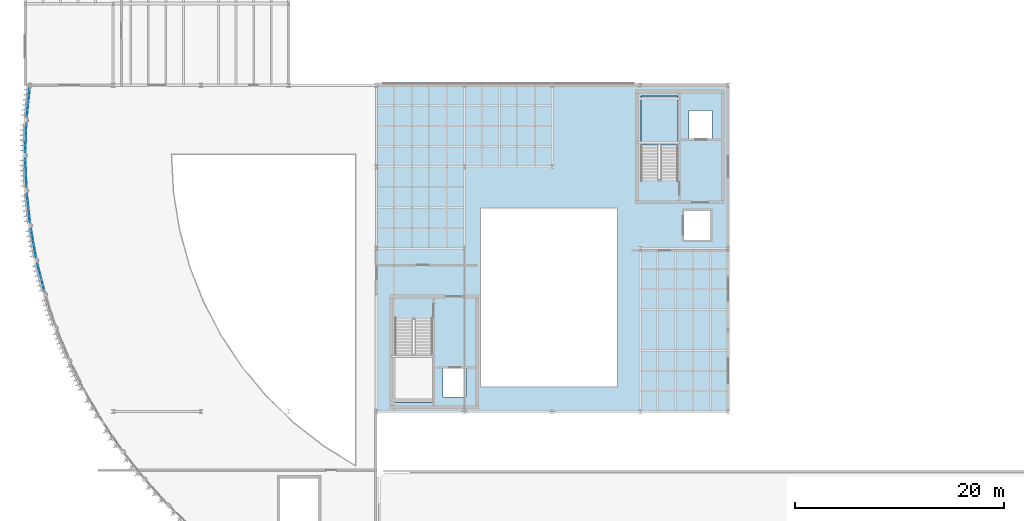
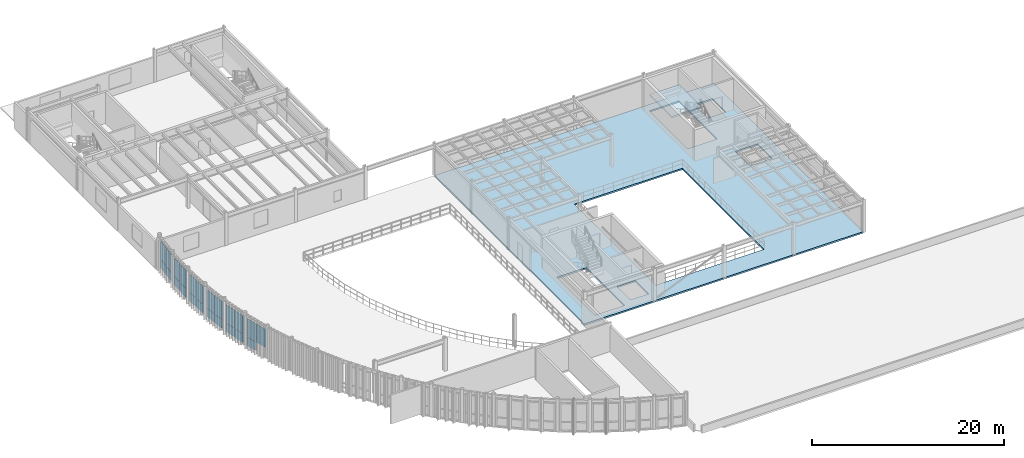
# One storey, part 30 of 54: 23 plates, 2 slabs, 7 elements without a shape of their own.
"""IFC4 building model written with IfcOpenShell, lengths in metres."""

import ifcopenshell
import ifcopenshell.guid

model = None  # the IFC model being written
_history = None  # IfcOwnerHistory: only IFC2X3 demands one
_inside = {}  # id of a spatial element -> (the spatial element, [elements in it])
_under = {}  # id of a project, library or spatial element -> (it, [spatial elements below it])
_declared = {}  # id of a project -> (the project, [libraries it declares])
_typed = {}  # id of a type object -> (the type object, [elements of that type])
_made_of = {}  # id of a material, layer set ... -> (it, [elements and type objects made of it])


def new_model(schema):
    """Start an empty IFC model of exactly this schema.

    Asked for "IFC4X3", IfcOpenShell would pick the latest addendum, in which some entities
    have other attributes; the version numbers below select the first issue.
    IFC2X3 requires an IfcOwnerHistory on every rooted entity: one is made here for all.
    """
    global model, _history
    if schema == "IFC4X3":
        model = ifcopenshell.file(schema_version=(4, 3, 0, 0))
    else:
        model = ifcopenshell.file(schema=schema)
    _inside.clear()
    _under.clear()
    _declared.clear()
    _typed.clear()
    _made_of.clear()
    _history = None
    if model.schema == "IFC2X3":
        org = make("IfcOrganization", Name="unknown")
        user = make(
            "IfcPersonAndOrganization",
            ThePerson=make("IfcPerson", FamilyName="unknown"),
            TheOrganization=org,
        )
        app = make(
            "IfcApplication",
            ApplicationDeveloper=org,
            Version="unknown",
            ApplicationFullName="unknown",
            ApplicationIdentifier="unknown",
        )
        _history = make(
            "IfcOwnerHistory",
            OwningUser=user,
            OwningApplication=app,
            ChangeAction="ADDED",
            CreationDate=0,
        )
    return model


def make(cls, **values):
    """One entity of the class cls with the attributes given. An attribute that is None is left unset."""
    return model.create_entity(
        cls, **{name: value for name, value in values.items() if value is not None}
    )


def rooted(cls, **values):
    """An entity with a GlobalId (a new one), such as an element, a storey or a relation."""
    return make(cls, GlobalId=ifcopenshell.guid.new(), OwnerHistory=_history, **values)


def si_unit(unit_type, name, prefix=None):
    """IfcSIUnit, for example si_unit("LENGTHUNIT", "METRE", prefix="MILLI")."""
    return make("IfcSIUnit", UnitType=unit_type, Prefix=prefix, Name=name)


def assignment(units):
    """IfcUnitAssignment: the units of a project."""
    return None if units is None else make("IfcUnitAssignment", Units=units)


def point(xyz):
    """IfcCartesianPoint."""
    return None if xyz is None else make("IfcCartesianPoint", Coordinates=xyz)


def direction(xyz):
    """IfcDirection."""
    return None if xyz is None else make("IfcDirection", DirectionRatios=xyz)


def frame(location, z_axis=None, x_axis=None):
    """IfcAxis2Placement3D, a coordinate frame: its origin and axes. An axis left out is left unset."""
    return make(
        "IfcAxis2Placement3D",
        Location=point(location),
        Axis=direction(z_axis),
        RefDirection=direction(x_axis),
    )


def frame_2d(location, x_axis=None):
    """IfcAxis2Placement2D, a coordinate frame in the plane: its origin and x axis."""
    return make(
        "IfcAxis2Placement2D", Location=point(location), RefDirection=direction(x_axis)
    )


def origin():
    """The frame at (0, 0, 0) with its axes left unset."""
    return frame((0.0, 0.0, 0.0))


def origin_2d():
    """The frame at (0, 0) in the plane with its x axis left unset."""
    return frame_2d((0.0, 0.0))


def place(relative_to, where):
    """IfcLocalPlacement: puts the frame where relative to a parent placement (None: the world)."""
    return make(
        "IfcLocalPlacement", PlacementRelTo=relative_to, RelativePlacement=where
    )


def context(
    kind, dimensions, precision=None, world=None, true_north=None, identifier=None
):
    """IfcGeometricRepresentationContext, for example the 3D "Model" context."""
    return make(
        "IfcGeometricRepresentationContext",
        ContextIdentifier=identifier,
        ContextType=kind,
        CoordinateSpaceDimension=dimensions,
        Precision=precision,
        WorldCoordinateSystem=world,
        TrueNorth=true_north,
    )


def subcontext(parent, identifier, kind, view, scale=None):
    """IfcGeometricRepresentationSubContext, for example "Body" below "Model"."""
    return make(
        "IfcGeometricRepresentationSubContext",
        ContextIdentifier=identifier,
        ContextType=kind,
        ParentContext=parent,
        TargetScale=scale,
        TargetView=view,
    )


def project(units=None, contexts=None):
    """IfcProject with its units and contexts."""
    return rooted(
        "IfcProject",
        Name="project",
        RepresentationContexts=contexts,
        UnitsInContext=assignment(units),
    )


def spatial(cls, under=None, at=None, **own):
    """A site, building, storey or space (cls), placed at a placement, below another one or the project."""
    s = rooted(cls, ObjectPlacement=at, **own)
    if under is not None:
        _under.setdefault(under.id(), (under, []))[1].append(s)
    return s


def polyline(points):
    """IfcPolyline through the points."""
    return make("IfcPolyline", Points=[point(p) for p in points])


def profile(cls, at=None, kind="AREA", **sizes):
    """A parametric profile (cls). Its sizes go by their IFC names, for example OverallWidth=200.0."""
    return make(cls, ProfileType=kind, Position=at, **sizes)


def rectangle(**sizes):
    """IfcRectangleProfileDef."""
    return profile("IfcRectangleProfileDef", **sizes)


def outline(outer, holes=None, kind="AREA"):
    """IfcArbitraryClosedProfileDef: a profile drawn as a closed curve; with holes, ...WithVoids."""
    if holes is None:
        return make("IfcArbitraryClosedProfileDef", ProfileType=kind, OuterCurve=outer)
    return make(
        "IfcArbitraryProfileDefWithVoids",
        ProfileType=kind,
        OuterCurve=outer,
        InnerCurves=holes,
    )


def extrude(swept, where, along, depth):
    """IfcExtrudedAreaSolid: the profile swept, set in the frame where, extruded along a direction by depth."""
    return make(
        "IfcExtrudedAreaSolid",
        SweptArea=swept,
        Position=where,
        ExtrudedDirection=direction(along),
        Depth=depth,
    )


def shape(context_of_items, identifier, shape_type, items):
    """IfcShapeRepresentation: the items that make up one representation, for example the "Body"."""
    return make(
        "IfcShapeRepresentation",
        ContextOfItems=context_of_items,
        RepresentationIdentifier=identifier,
        RepresentationType=shape_type,
        Items=items,
    )


def material(Name=None, Category=None):
    """IfcMaterial."""
    return make("IfcMaterial", Name=Name, Category=Category)


def layer(
    of_material, thickness, ventilated=None, Name=None, Category=None, Priority=None
):
    """IfcMaterialLayer: one layer of a wall or slab, of a material (None: an air gap)."""
    return make(
        "IfcMaterialLayer",
        Material=of_material,
        LayerThickness=thickness,
        IsVentilated=ventilated,
        Name=Name,
        Category=Category,
        Priority=Priority,
    )


def layer_set(layers, Name=None):
    """IfcMaterialLayerSet."""
    return make("IfcMaterialLayerSet", MaterialLayers=layers, LayerSetName=Name)


def made_of(thing, what):
    """Note that an element or type object is made of a material, layer set ...; save() writes the relation."""
    if what is not None:
        _made_of.setdefault(what.id(), (what, []))[1].append(thing)
    return thing


def type_object(cls, material=None, **own):
    """A type object (cls), such as IfcWallType, which elements share."""
    return made_of(rooted(cls, **own), material)


def element(
    cls,
    number,
    at=None,
    inside=None,
    cuts=None,
    type_object=None,
    material=None,
    context=None,
    identifier="Body",
    shape_type=None,
    held_by="IfcProductDefinitionShape",
    body=None,
    shapes=None,
    **own,
):
    """One element of the class cls, such as IfcWall. Its Tag is "e" and its number.

    at: its placement. inside: the storey or other place that contains it. cuts: it is an
    opening in that element (IfcRelVoidsElement). A single representation is given by context,
    identifier, shape_type and body (its items); several are given by shapes. held_by: the class
    of the entity that holds the representations. save() writes the other relations.
    """
    e = rooted(cls, Tag="e%d" % number, ObjectPlacement=at, **own)
    if body is not None:
        shapes = [shape(context, identifier, shape_type, body)]
    if shapes is not None:
        e.Representation = make(held_by, Representations=shapes)
    if inside is not None:
        _inside.setdefault(inside.id(), (inside, []))[1].append(e)
    if cuts is not None:
        rooted(
            "IfcRelVoidsElement", RelatingBuildingElement=cuts, RelatedOpeningElement=e
        )
    if type_object is not None:
        _typed.setdefault(type_object.id(), (type_object, []))[1].append(e)
    return made_of(e, material)


def aggregate(whole, parts):
    """IfcRelAggregates: a whole, such as a stair, and the parts it consists of."""
    return rooted("IfcRelAggregates", RelatingObject=whole, RelatedObjects=parts)


def save(model, path):
    """Write the relations noted so far, then the file.

    IfcRelAggregates (storeys below a building ...), IfcRelContainedInSpatialStructure (elements
    in a storey), IfcRelDefinesByType, IfcRelAssociatesMaterial and IfcRelDeclares: one each for
    every whole, place, type object, material and project.
    """
    for whole, parts in _under.values():
        aggregate(whole, parts)
    for where, things in _inside.values():
        rooted(
            "IfcRelContainedInSpatialStructure",
            RelatedElements=things,
            RelatingStructure=where,
        )
    for kind, things in _typed.values():
        rooted("IfcRelDefinesByType", RelatedObjects=things, RelatingType=kind)
    for what, things in _made_of.values():
        rooted("IfcRelAssociatesMaterial", RelatedObjects=things, RelatingMaterial=what)
    for by, libraries in _declared.values():
        rooted("IfcRelDeclares", RelatingContext=by, RelatedDefinitions=libraries)
    model.write(path)


model = new_model("IFC4")

# Units and contexts
model_context = context("Model", 3, precision=1e-05, world=origin(), true_north=direction((0.0, 1.0)))
body_context = subcontext(model_context, "Body", "Model", "MODEL_VIEW")
ifc_project = project(units=[si_unit("LENGTHUNIT", "METRE"), si_unit("AREAUNIT", "SQUARE_METRE"), si_unit("VOLUMEUNIT", "CUBIC_METRE"), si_unit("PLANEANGLEUNIT", "RADIAN"), si_unit("MASSUNIT", "GRAM", prefix="KILO")], contexts=[model_context])

# Site, building, storey
site_placement = place(None, origin())
site = spatial("IfcSite", under=ifc_project, at=site_placement, CompositionType="ELEMENT")
building_placement = place(site_placement, origin())
building = spatial("IfcBuilding", under=site, at=building_placement, Name="Selat Folded Stagehouse", CompositionType="ELEMENT")
storey_placement = place(building_placement, frame((0.0, 0.0, 15.0)))
storey = spatial("IfcBuildingStorey", under=building, at=storey_placement, Name="L03", CompositionType="ELEMENT", Elevation=15.0)

# Curtain wall, plates
ifc_material_1 = material(Name="Aluminium 6063-T6", Category="aluminium")
ifc_layer_1 = layer(ifc_material_1, 0.18505859375)
ifc_layer_set_1 = layer_set([ifc_layer_1], Name="Aluminium 6063-T6")
curtain_wall_type = type_object("IfcCurtainWallType", Name="CW-DRM-UPPER", PredefinedType="NOTDEFINED", material=ifc_layer_set_1)
curtain_wall_1_placement = place(storey_placement, origin())
curtain_wall_1 = element("IfcCurtainWall", 1, at=curtain_wall_1_placement, inside=storey, type_object=curtain_wall_type, Name="L03 curtain wall CW-DRM-L03-00", PredefinedType="NOTDEFINED")
ifc_material_2 = material(Name="High-mass acoustic stagehouse glazing", Category="glass")
ifc_layer_2 = layer(ifc_material_2, 0.0439453125)
ifc_layer_set_2 = layer_set([ifc_layer_2], Name="High-mass acoustic stagehouse glazing")
plate_type = type_object("IfcPlateType", Name="CWP-GLZ-DGU44", PredefinedType="CURTAIN_PANEL", material=ifc_layer_set_2)
plate_1_placement = place(storey_placement, frame((0.211181640625, 52.22705078125, 0.06494140625), z_axis=(0.0, 0.0, 1.0), x_axis=(0.102616116059, 0.994721032614, 0.0)))
plate_1 = element("IfcPlate", 2, at=plate_1_placement, type_object=plate_type, Name="CW-03 panel 1.1", PredefinedType="CURTAIN_PANEL", context=body_context, shape_type="SweptSolid", body=[
    extrude(rectangle(XDim=1.3369140625, YDim=0.0439453125, at=origin_2d()), origin(), (0.0, 0.0, 1.0), 1.052490234375),
])
plate_2_placement = place(storey_placement, frame((0.211181640625, 52.22705078125, 1.1826171875), z_axis=(0.0, 0.0, 1.0), x_axis=(0.102616116059, 0.994721032614, 0.0)))
plate_2 = element("IfcPlate", 3, at=plate_2_placement, type_object=plate_type, Name="CW-03 panel 1.2", PredefinedType="CURTAIN_PANEL", context=body_context, shape_type="SweptSolid", body=[
    extrude(rectangle(XDim=1.3369140625, YDim=0.0439453125, at=origin_2d()), origin(), (0.0, 0.0, 1.0), 2.3125),
])
plate_3_placement = place(storey_placement, frame((0.35498046875, 53.62158203125, 0.06494140625), z_axis=(0.0, 0.0, 1.0), x_axis=(0.102616116059, 0.994721032614, 0.0)))
plate_3 = element("IfcPlate", 4, at=plate_3_placement, type_object=plate_type, Name="CW-03 panel 2.1", PredefinedType="CURTAIN_PANEL", context=body_context, shape_type="SweptSolid", body=[
    extrude(rectangle(XDim=1.3369140625, YDim=0.0439453125, at=origin_2d()), origin(), (0.0, 0.0, 1.0), 1.052490234375),
])
plate_4_placement = place(storey_placement, frame((0.35498046875, 53.62158203125, 1.1826171875), z_axis=(0.0, 0.0, 1.0), x_axis=(0.102616116059, 0.994721032614, 0.0)))
plate_4 = element("IfcPlate", 5, at=plate_4_placement, type_object=plate_type, Name="CW-03 panel 2.2", PredefinedType="CURTAIN_PANEL", context=body_context, shape_type="SweptSolid", body=[
    extrude(rectangle(XDim=1.3369140625, YDim=0.0439453125, at=origin_2d()), origin(), (0.0, 0.0, 1.0), 2.3125),
])
aggregate(curtain_wall_1, [plate_1, plate_2, plate_3, plate_4])

curtain_wall_2_placement = place(storey_placement, origin())
curtain_wall_2 = element("IfcCurtainWall", 6, at=curtain_wall_2_placement, inside=storey, type_object=curtain_wall_type, Name="L03 curtain wall CW-DRM-L03-01", PredefinedType="NOTDEFINED")
plate_5_placement = place(storey_placement, frame((0.0322265625, 48.864501953125, 0.06494140625), z_axis=(0.0, 0.0, 1.0), x_axis=(0.032625434862, 0.999467648801, 0.0)))
plate_5 = element("IfcPlate", 7, at=plate_5_placement, type_object=plate_type, Name="CW-03 panel 1.1", PredefinedType="CURTAIN_PANEL", context=body_context, shape_type="SweptSolid", body=[
    extrude(rectangle(XDim=1.3369140625, YDim=0.0439453125, at=origin_2d()), origin(), (0.0, 0.0, 1.0), 1.052490234375),
])
plate_6_placement = place(storey_placement, frame((0.0322265625, 48.864501953125, 1.1826171875), z_axis=(0.0, 0.0, 1.0), x_axis=(0.032625434862, 0.999467648801, 0.0)))
plate_6 = element("IfcPlate", 8, at=plate_6_placement, type_object=plate_type, Name="CW-03 panel 1.2", PredefinedType="CURTAIN_PANEL", context=body_context, shape_type="SweptSolid", body=[
    extrude(rectangle(XDim=1.3369140625, YDim=0.0439453125, at=origin_2d()), origin(), (0.0, 0.0, 1.0), 2.3125),
])
plate_7_placement = place(storey_placement, frame((0.077880859375, 50.265869140625, 0.06494140625), z_axis=(0.0, 0.0, 1.0), x_axis=(0.032625434862, 0.999467648801, 0.0)))
plate_7 = element("IfcPlate", 9, at=plate_7_placement, type_object=plate_type, Name="CW-03 panel 2.1", PredefinedType="CURTAIN_PANEL", context=body_context, shape_type="SweptSolid", body=[
    extrude(rectangle(XDim=1.3369140625, YDim=0.0439453125, at=origin_2d()), origin(), (0.0, 0.0, 1.0), 1.052490234375),
])
plate_8_placement = place(storey_placement, frame((0.077880859375, 50.265869140625, 1.1826171875), z_axis=(0.0, 0.0, 1.0), x_axis=(0.032625434862, 0.999467648801, 0.0)))
plate_8 = element("IfcPlate", 10, at=plate_8_placement, type_object=plate_type, Name="CW-03 panel 2.2", PredefinedType="CURTAIN_PANEL", context=body_context, shape_type="SweptSolid", body=[
    extrude(rectangle(XDim=1.3369140625, YDim=0.0439453125, at=origin_2d()), origin(), (0.0, 0.0, 1.0), 2.3125),
])
aggregate(curtain_wall_2, [plate_5, plate_6, plate_7, plate_8])

curtain_wall_3_placement = place(storey_placement, origin())
curtain_wall_3 = element("IfcCurtainWall", 11, at=curtain_wall_3_placement, inside=storey, type_object=curtain_wall_type, Name="L03 curtain wall CW-DRM-L03-02", PredefinedType="NOTDEFINED")
plate_9_placement = place(storey_placement, frame((0.08984375, 45.497802734375, 0.06494140625), z_axis=(0.0, 0.0, 1.0), x_axis=(-0.037573727908, 0.999293858167, 0.0)))
plate_9 = element("IfcPlate", 12, at=plate_9_placement, type_object=plate_type, Name="CW-03 panel 1.1", PredefinedType="CURTAIN_PANEL", context=body_context, shape_type="SweptSolid", body=[
    extrude(rectangle(XDim=1.3369140625, YDim=0.0439453125, at=origin_2d()), origin(), (0.0, 0.0, 1.0), 1.052490234375),
])
plate_10_placement = place(storey_placement, frame((0.08984375, 45.497802734375, 1.1826171875), z_axis=(0.0, 0.0, 1.0), x_axis=(-0.037573727908, 0.999293858167, 0.0)))
plate_10 = element("IfcPlate", 13, at=plate_10_placement, type_object=plate_type, Name="CW-03 panel 1.2", PredefinedType="CURTAIN_PANEL", context=body_context, shape_type="SweptSolid", body=[
    extrude(rectangle(XDim=1.3369140625, YDim=0.0439453125, at=origin_2d()), origin(), (0.0, 0.0, 1.0), 2.3125),
])
plate_11_placement = place(storey_placement, frame((0.037109375, 46.89892578125, 0.06494140625), z_axis=(0.0, 0.0, 1.0), x_axis=(-0.037573727908, 0.999293858167, 0.0)))
plate_11 = element("IfcPlate", 14, at=plate_11_placement, type_object=plate_type, Name="CW-03 panel 2.1", PredefinedType="CURTAIN_PANEL", context=body_context, shape_type="SweptSolid", body=[
    extrude(rectangle(XDim=1.3369140625, YDim=0.0439453125, at=origin_2d()), origin(), (0.0, 0.0, 1.0), 1.052490234375),
])
plate_12_placement = place(storey_placement, frame((0.037109375, 46.89892578125, 1.1826171875), z_axis=(0.0, 0.0, 1.0), x_axis=(-0.037573727908, 0.999293858167, 0.0)))
plate_12 = element("IfcPlate", 15, at=plate_12_placement, type_object=plate_type, Name="CW-03 panel 2.2", PredefinedType="CURTAIN_PANEL", context=body_context, shape_type="SweptSolid", body=[
    extrude(rectangle(XDim=1.3369140625, YDim=0.0439453125, at=origin_2d()), origin(), (0.0, 0.0, 1.0), 2.3125),
])
aggregate(curtain_wall_3, [plate_9, plate_10, plate_11, plate_12])

curtain_wall_4_placement = place(storey_placement, origin())
curtain_wall_4 = element("IfcCurtainWall", 16, at=curtain_wall_4_placement, inside=storey, type_object=curtain_wall_type, Name="L03 curtain wall CW-DRM-L03-03", PredefinedType="NOTDEFINED")
plate_13_placement = place(storey_placement, frame((0.38330078125, 42.143310546875, 0.06494140625), z_axis=(0.0, 0.0, 1.0), x_axis=(-0.107558193428, 0.994198790497, 0.0)))
plate_13 = element("IfcPlate", 17, at=plate_13_placement, type_object=plate_type, Name="CW-03 panel 1.1", PredefinedType="CURTAIN_PANEL", context=body_context, shape_type="SweptSolid", body=[
    extrude(rectangle(XDim=1.337158203125, YDim=0.0439453125, at=origin_2d()), origin(), (0.0, 0.0, 1.0), 1.052490234375),
])
plate_14_placement = place(storey_placement, frame((0.38330078125, 42.143310546875, 1.1826171875), z_axis=(0.0, 0.0, 1.0), x_axis=(-0.107558193428, 0.994198790497, 0.0)))
plate_14 = element("IfcPlate", 18, at=plate_14_placement, type_object=plate_type, Name="CW-03 panel 1.2", PredefinedType="CURTAIN_PANEL", context=body_context, shape_type="SweptSolid", body=[
    extrude(rectangle(XDim=1.337158203125, YDim=0.0439453125, at=origin_2d()), origin(), (0.0, 0.0, 1.0), 2.3125),
])
plate_15_placement = place(storey_placement, frame((0.232421875, 43.537109375, 0.06494140625), z_axis=(0.0, 0.0, 1.0), x_axis=(-0.107558193428, 0.994198790497, 0.0)))
plate_15 = element("IfcPlate", 19, at=plate_15_placement, type_object=plate_type, Name="CW-03 panel 2.1", PredefinedType="CURTAIN_PANEL", context=body_context, shape_type="SweptSolid", body=[
    extrude(rectangle(XDim=1.337158203125, YDim=0.0439453125, at=origin_2d()), origin(), (0.0, 0.0, 1.0), 1.052490234375),
])
plate_16_placement = place(storey_placement, frame((0.232421875, 43.537109375, 1.1826171875), z_axis=(0.0, 0.0, 1.0), x_axis=(-0.107558193428, 0.994198790497, 0.0)))
plate_16 = element("IfcPlate", 20, at=plate_16_placement, type_object=plate_type, Name="CW-03 panel 2.2", PredefinedType="CURTAIN_PANEL", context=body_context, shape_type="SweptSolid", body=[
    extrude(rectangle(XDim=1.337158203125, YDim=0.0439453125, at=origin_2d()), origin(), (0.0, 0.0, 1.0), 2.3125),
])
aggregate(curtain_wall_4, [plate_13, plate_14, plate_15, plate_16])

curtain_wall_5_placement = place(storey_placement, origin())
curtain_wall_5 = element("IfcCurtainWall", 21, at=curtain_wall_5_placement, inside=storey, type_object=curtain_wall_type, Name="L03 curtain wall CW-DRM-L03-04", PredefinedType="NOTDEFINED")
plate_17_placement = place(storey_placement, frame((0.911376953125, 38.817626953125, 0.06494140625), z_axis=(0.0, 0.0, 1.0), x_axis=(-0.177001739435, 0.984210538572, 0.0)))
plate_17 = element("IfcPlate", 22, at=plate_17_placement, type_object=plate_type, Name="CW-03 panel 1.1", PredefinedType="CURTAIN_PANEL", context=body_context, shape_type="SweptSolid", body=[
    extrude(rectangle(XDim=1.3369140625, YDim=0.0439453125, at=origin_2d()), origin(), (0.0, 0.0, 1.0), 1.052490234375),
])
plate_18_placement = place(storey_placement, frame((0.911376953125, 38.817626953125, 1.1826171875), z_axis=(0.0, 0.0, 1.0), x_axis=(-0.177001739435, 0.984210538572, 0.0)))
plate_18 = element("IfcPlate", 23, at=plate_18_placement, type_object=plate_type, Name="CW-03 panel 1.2", PredefinedType="CURTAIN_PANEL", context=body_context, shape_type="SweptSolid", body=[
    extrude(rectangle(XDim=1.3369140625, YDim=0.0439453125, at=origin_2d()), origin(), (0.0, 0.0, 1.0), 2.3125),
])
plate_19_placement = place(storey_placement, frame((0.663330078125, 40.197509765625, 0.06494140625), z_axis=(0.0, 0.0, 1.0), x_axis=(-0.177001739435, 0.984210538572, 0.0)))
plate_19 = element("IfcPlate", 24, at=plate_19_placement, type_object=plate_type, Name="CW-03 panel 2.1", PredefinedType="CURTAIN_PANEL", context=body_context, shape_type="SweptSolid", body=[
    extrude(rectangle(XDim=1.3369140625, YDim=0.0439453125, at=origin_2d()), origin(), (0.0, 0.0, 1.0), 1.052490234375),
])
plate_20_placement = place(storey_placement, frame((0.663330078125, 40.197509765625, 1.1826171875), z_axis=(0.0, 0.0, 1.0), x_axis=(-0.177001739435, 0.984210538572, 0.0)))
plate_20 = element("IfcPlate", 25, at=plate_20_placement, type_object=plate_type, Name="CW-03 panel 2.2", PredefinedType="CURTAIN_PANEL", context=body_context, shape_type="SweptSolid", body=[
    extrude(rectangle(XDim=1.3369140625, YDim=0.0439453125, at=origin_2d()), origin(), (0.0, 0.0, 1.0), 2.3125),
])
aggregate(curtain_wall_5, [plate_17, plate_18, plate_19, plate_20])

curtain_wall_6_placement = place(storey_placement, origin())
curtain_wall_6 = element("IfcCurtainWall", 26, at=curtain_wall_6_placement, inside=storey, type_object=curtain_wall_type, Name="L03 curtain wall CW-DRM-L03-05", PredefinedType="NOTDEFINED")
plate_21_placement = place(storey_placement, frame((1.67138671875, 35.537353515625, 1.1826171875), z_axis=(0.0, 0.0, 1.0), x_axis=(-0.24561797686, 0.969366705351, 0.0)))
plate_21 = element("IfcPlate", 27, at=plate_21_placement, type_object=plate_type, Name="CW-03 panel 1.2", PredefinedType="CURTAIN_PANEL", context=body_context, shape_type="SweptSolid", body=[
    extrude(rectangle(XDim=1.337158203125, YDim=0.0439453125, at=origin_2d()), origin(), (0.0, 0.0, 1.0), 2.3125),
])
plate_22_placement = place(storey_placement, frame((1.3271484375, 36.896240234375, 0.06494140625), z_axis=(0.0, 0.0, 1.0), x_axis=(-0.24561797686, 0.969366705351, 0.0)))
plate_22 = element("IfcPlate", 28, at=plate_22_placement, type_object=plate_type, Name="CW-03 panel 2.1", PredefinedType="CURTAIN_PANEL", context=body_context, shape_type="SweptSolid", body=[
    extrude(rectangle(XDim=1.337158203125, YDim=0.0439453125, at=origin_2d()), origin(), (0.0, 0.0, 1.0), 1.052490234375),
])
plate_23_placement = place(storey_placement, frame((1.3271484375, 36.896240234375, 1.1826171875), z_axis=(0.0, 0.0, 1.0), x_axis=(-0.24561797686, 0.969366705351, 0.0)))
plate_23 = element("IfcPlate", 29, at=plate_23_placement, type_object=plate_type, Name="CW-03 panel 2.2", PredefinedType="CURTAIN_PANEL", context=body_context, shape_type="SweptSolid", body=[
    extrude(rectangle(XDim=1.337158203125, YDim=0.0439453125, at=origin_2d()), origin(), (0.0, 0.0, 1.0), 2.3125),
])
aggregate(curtain_wall_6, [plate_21, plate_22, plate_23])

# Slab
ifc_material_3 = material(Name="Concrete C40/50", Category="concrete")
ifc_layer_3 = layer(ifc_material_3, 0.199951171875)
ifc_layer_set_3 = layer_set([ifc_layer_3], Name="Concrete C40/50")
slab_type_1 = type_object("IfcSlabType", Name="SLAB-FLR-200", PredefinedType="FLOOR", material=ifc_layer_set_3)
slab_1_placement = place(storey_placement, frame((0.0, 0.0, -0.199951171875)))
element("IfcSlab", 30, at=slab_1_placement, inside=storey, type_object=slab_type_1, Name="L03 V2 floor slab SL-L03-V2", PredefinedType="FLOOR", context=body_context, shape_type="SweptSolid", body=[
    extrude(outline(polyline([(33.60009765625, 23.39990234375), (67.199951171875, 23.39990234375), (67.199951171875, 54.60009765625), (33.60009765625, 54.60009765625), (33.60009765625, 23.39990234375)]), holes=[polyline([(39.949951171875, 24.800048828125), (39.949951171875, 27.60009765625), (42.14990234375, 27.60009765625), (42.14990234375, 24.800048828125), (39.949951171875, 24.800048828125)]), polyline([(35.360107421875, 32.179931640625), (38.919921875, 32.179931640625), (38.919921875, 24.239990234375), (35.360107421875, 24.239990234375), (35.360107421875, 32.179931640625)]), polyline([(43.60009765625, 25.800048828125), (43.60009765625, 42.800048828125), (56.60009765625, 42.800048828125), (56.60009765625, 25.800048828125), (43.60009765625, 25.800048828125)]), polyline([(62.89990234375, 39.699951171875), (62.89990234375, 42.699951171875), (65.60009765625, 42.699951171875), (65.60009765625, 39.699951171875), (62.89990234375, 39.699951171875)]), polyline([(58.860107421875, 53.56005859375), (62.419921875, 53.56005859375), (62.419921875, 45.6201171875), (58.860107421875, 45.6201171875), (58.860107421875, 53.56005859375)]), polyline([(63.449951171875, 52.199951171875), (65.64990234375, 52.199951171875), (65.64990234375, 49.39990234375), (63.449951171875, 49.39990234375), (63.449951171875, 52.199951171875)])]), origin(), (0.0, 0.0, 1.0), 0.199951171875),
])

# Stair, slab
stair_type = type_object("IfcStairType", Name="STR-DOG-1700-26R", PredefinedType="HALF_TURN_STAIR", material=ifc_material_3)
stair_placement = place(storey_placement, origin())
stair = element("IfcStair", 31, at=stair_placement, inside=storey, type_object=stair_type, Name="L03 Core 2 North-East Stage Fire Core", PredefinedType="HALF_TURN_STAIR")
ifc_layer_4 = layer(ifc_material_3, 0.199951171875)
ifc_layer_set_4 = layer_set([ifc_layer_4], Name="Concrete C40/50")
slab_type_2 = type_object("IfcSlabType", Name="SLAB-STR-LDG-200", PredefinedType="LANDING", material=ifc_layer_set_4)
slab_2_placement = place(storey_placement, frame((0.0, 0.0, 1.89990234375)))
slab_2 = element("IfcSlab", 32, at=slab_2_placement, type_object=slab_type_2, Name="ST-1700-26R landing 1", PredefinedType="LANDING", context=body_context, shape_type="SweptSolid", body=[
    extrude(outline(polyline([(62.419921875, 48.8798828125), (62.419921875, 53.56005859375), (58.860107421875, 53.56005859375), (58.860107421875, 48.8798828125), (62.419921875, 48.8798828125)])), origin(), (0.0, 0.0, 1.0), 0.2001953125),
])
aggregate(stair, [slab_2])

save(model, "model.ifc")
